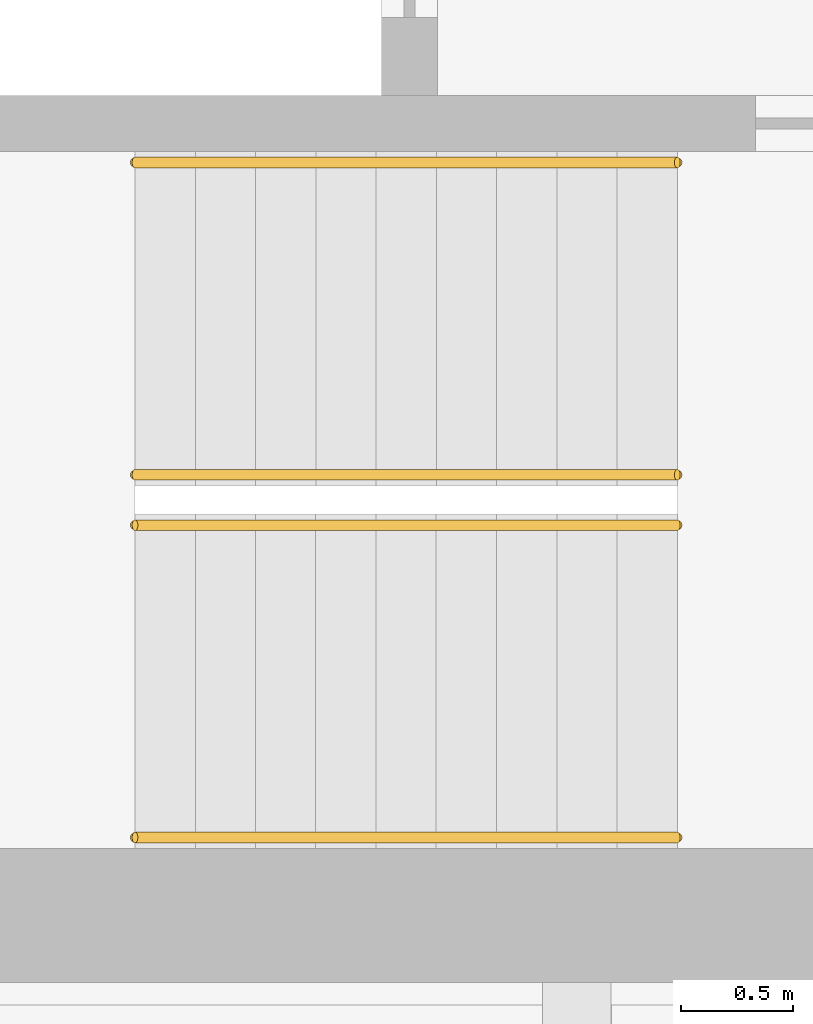
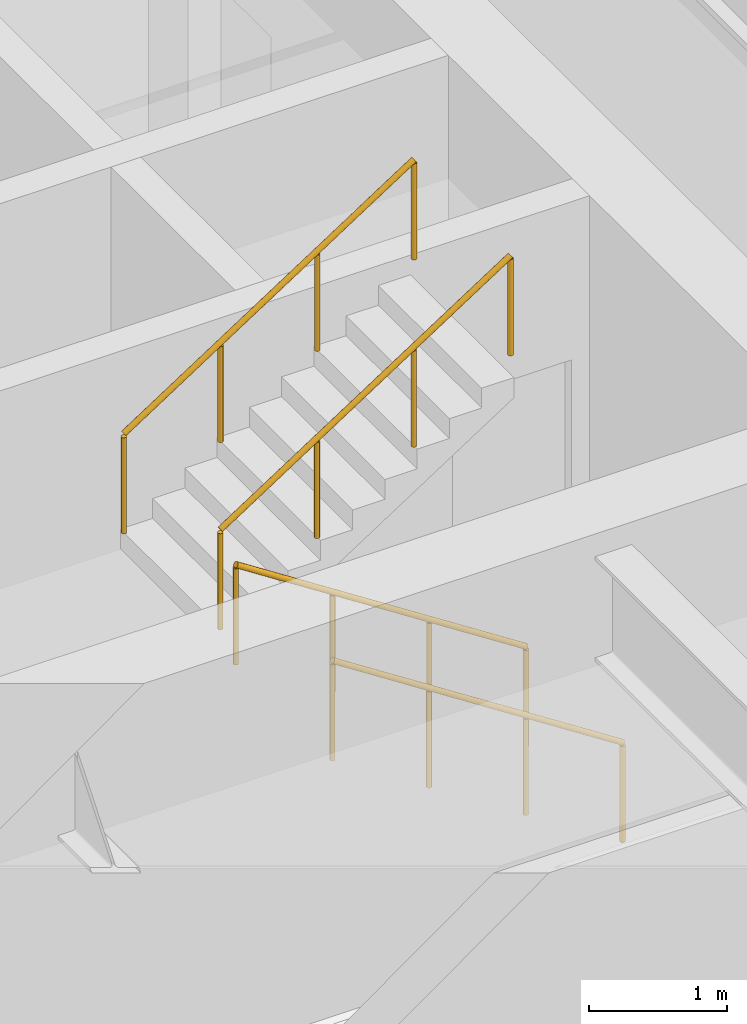
# One storey, part 17 of 21: 4 railings.
"""IFC4 building model written with IfcOpenShell, lengths in metres."""

import ifcopenshell
import ifcopenshell.guid

model = None  # the IFC model being written
_history = None  # IfcOwnerHistory: only IFC2X3 demands one
_inside = {}  # id of a spatial element -> (the spatial element, [elements in it])
_under = {}  # id of a project, library or spatial element -> (it, [spatial elements below it])
_declared = {}  # id of a project -> (the project, [libraries it declares])
_typed = {}  # id of a type object -> (the type object, [elements of that type])
_made_of = {}  # id of a material, layer set ... -> (it, [elements and type objects made of it])


def new_model(schema):
    """Start an empty IFC model of exactly this schema.

    Asked for "IFC4X3", IfcOpenShell would pick the latest addendum, in which some entities
    have other attributes; the version numbers below select the first issue.
    IFC2X3 requires an IfcOwnerHistory on every rooted entity: one is made here for all.
    """
    global model, _history
    if schema == "IFC4X3":
        model = ifcopenshell.file(schema_version=(4, 3, 0, 0))
    else:
        model = ifcopenshell.file(schema=schema)
    _inside.clear()
    _under.clear()
    _declared.clear()
    _typed.clear()
    _made_of.clear()
    _history = None
    if model.schema == "IFC2X3":
        org = make("IfcOrganization", Name="unknown")
        user = make(
            "IfcPersonAndOrganization",
            ThePerson=make("IfcPerson", FamilyName="unknown"),
            TheOrganization=org,
        )
        app = make(
            "IfcApplication",
            ApplicationDeveloper=org,
            Version="unknown",
            ApplicationFullName="unknown",
            ApplicationIdentifier="unknown",
        )
        _history = make(
            "IfcOwnerHistory",
            OwningUser=user,
            OwningApplication=app,
            ChangeAction="ADDED",
            CreationDate=0,
        )
    return model


def make(cls, **values):
    """One entity of the class cls with the attributes given. An attribute that is None is left unset."""
    return model.create_entity(
        cls, **{name: value for name, value in values.items() if value is not None}
    )


def rooted(cls, **values):
    """An entity with a GlobalId (a new one), such as an element, a storey or a relation."""
    return make(cls, GlobalId=ifcopenshell.guid.new(), OwnerHistory=_history, **values)


def si_unit(unit_type, name, prefix=None):
    """IfcSIUnit, for example si_unit("LENGTHUNIT", "METRE", prefix="MILLI")."""
    return make("IfcSIUnit", UnitType=unit_type, Prefix=prefix, Name=name)


def assignment(units):
    """IfcUnitAssignment: the units of a project."""
    return None if units is None else make("IfcUnitAssignment", Units=units)


def point(xyz):
    """IfcCartesianPoint."""
    return None if xyz is None else make("IfcCartesianPoint", Coordinates=xyz)


def direction(xyz):
    """IfcDirection."""
    return None if xyz is None else make("IfcDirection", DirectionRatios=xyz)


def frame(location, z_axis=None, x_axis=None):
    """IfcAxis2Placement3D, a coordinate frame: its origin and axes. An axis left out is left unset."""
    return make(
        "IfcAxis2Placement3D",
        Location=point(location),
        Axis=direction(z_axis),
        RefDirection=direction(x_axis),
    )


def frame_2d(location, x_axis=None):
    """IfcAxis2Placement2D, a coordinate frame in the plane: its origin and x axis."""
    return make(
        "IfcAxis2Placement2D", Location=point(location), RefDirection=direction(x_axis)
    )


def origin():
    """The frame at (0, 0, 0) with its axes left unset."""
    return frame((0.0, 0.0, 0.0))


def origin_2d():
    """The frame at (0, 0) in the plane with its x axis left unset."""
    return frame_2d((0.0, 0.0))


def place(relative_to, where):
    """IfcLocalPlacement: puts the frame where relative to a parent placement (None: the world)."""
    return make(
        "IfcLocalPlacement", PlacementRelTo=relative_to, RelativePlacement=where
    )


def context(
    kind, dimensions, precision=None, world=None, true_north=None, identifier=None
):
    """IfcGeometricRepresentationContext, for example the 3D "Model" context."""
    return make(
        "IfcGeometricRepresentationContext",
        ContextIdentifier=identifier,
        ContextType=kind,
        CoordinateSpaceDimension=dimensions,
        Precision=precision,
        WorldCoordinateSystem=world,
        TrueNorth=true_north,
    )


def subcontext(parent, identifier, kind, view, scale=None):
    """IfcGeometricRepresentationSubContext, for example "Body" below "Model"."""
    return make(
        "IfcGeometricRepresentationSubContext",
        ContextIdentifier=identifier,
        ContextType=kind,
        ParentContext=parent,
        TargetScale=scale,
        TargetView=view,
    )


def project(units=None, contexts=None):
    """IfcProject with its units and contexts."""
    return rooted(
        "IfcProject",
        Name="project",
        RepresentationContexts=contexts,
        UnitsInContext=assignment(units),
    )


def spatial(cls, under=None, at=None, **own):
    """A site, building, storey or space (cls), placed at a placement, below another one or the project."""
    s = rooted(cls, ObjectPlacement=at, **own)
    if under is not None:
        _under.setdefault(under.id(), (under, []))[1].append(s)
    return s


def profile(cls, at=None, kind="AREA", **sizes):
    """A parametric profile (cls). Its sizes go by their IFC names, for example OverallWidth=200.0."""
    return make(cls, ProfileType=kind, Position=at, **sizes)


def circle(**sizes):
    """IfcCircleProfileDef."""
    return profile("IfcCircleProfileDef", **sizes)


def extrude(swept, where, along, depth):
    """IfcExtrudedAreaSolid: the profile swept, set in the frame where, extruded along a direction by depth."""
    return make(
        "IfcExtrudedAreaSolid",
        SweptArea=swept,
        Position=where,
        ExtrudedDirection=direction(along),
        Depth=depth,
    )


def shape(context_of_items, identifier, shape_type, items):
    """IfcShapeRepresentation: the items that make up one representation, for example the "Body"."""
    return make(
        "IfcShapeRepresentation",
        ContextOfItems=context_of_items,
        RepresentationIdentifier=identifier,
        RepresentationType=shape_type,
        Items=items,
    )


def material(Name=None, Category=None):
    """IfcMaterial."""
    return make("IfcMaterial", Name=Name, Category=Category)


def made_of(thing, what):
    """Note that an element or type object is made of a material, layer set ...; save() writes the relation."""
    if what is not None:
        _made_of.setdefault(what.id(), (what, []))[1].append(thing)
    return thing


def type_object(cls, material=None, **own):
    """A type object (cls), such as IfcWallType, which elements share."""
    return made_of(rooted(cls, **own), material)


def element(
    cls,
    number,
    at=None,
    inside=None,
    cuts=None,
    type_object=None,
    material=None,
    context=None,
    identifier="Body",
    shape_type=None,
    held_by="IfcProductDefinitionShape",
    body=None,
    shapes=None,
    **own,
):
    """One element of the class cls, such as IfcWall. Its Tag is "e" and its number.

    at: its placement. inside: the storey or other place that contains it. cuts: it is an
    opening in that element (IfcRelVoidsElement). A single representation is given by context,
    identifier, shape_type and body (its items); several are given by shapes. held_by: the class
    of the entity that holds the representations. save() writes the other relations.
    """
    e = rooted(cls, Tag="e%d" % number, ObjectPlacement=at, **own)
    if body is not None:
        shapes = [shape(context, identifier, shape_type, body)]
    if shapes is not None:
        e.Representation = make(held_by, Representations=shapes)
    if inside is not None:
        _inside.setdefault(inside.id(), (inside, []))[1].append(e)
    if cuts is not None:
        rooted(
            "IfcRelVoidsElement", RelatingBuildingElement=cuts, RelatedOpeningElement=e
        )
    if type_object is not None:
        _typed.setdefault(type_object.id(), (type_object, []))[1].append(e)
    return made_of(e, material)


def aggregate(whole, parts):
    """IfcRelAggregates: a whole, such as a stair, and the parts it consists of."""
    return rooted("IfcRelAggregates", RelatingObject=whole, RelatedObjects=parts)


def save(model, path):
    """Write the relations noted so far, then the file.

    IfcRelAggregates (storeys below a building ...), IfcRelContainedInSpatialStructure (elements
    in a storey), IfcRelDefinesByType, IfcRelAssociatesMaterial and IfcRelDeclares: one each for
    every whole, place, type object, material and project.
    """
    for whole, parts in _under.values():
        aggregate(whole, parts)
    for where, things in _inside.values():
        rooted(
            "IfcRelContainedInSpatialStructure",
            RelatedElements=things,
            RelatingStructure=where,
        )
    for kind, things in _typed.values():
        rooted("IfcRelDefinesByType", RelatedObjects=things, RelatingType=kind)
    for what, things in _made_of.values():
        rooted("IfcRelAssociatesMaterial", RelatedObjects=things, RelatingMaterial=what)
    for by, libraries in _declared.values():
        rooted("IfcRelDeclares", RelatingContext=by, RelatedDefinitions=libraries)
    model.write(path)


model = new_model("IFC4")

# Units and contexts
model_context = context("Model", 3, precision=1e-05, world=origin(), true_north=direction((0.0, 1.0)))
body_context = subcontext(model_context, "Body", "Model", "MODEL_VIEW")
ifc_project = project(units=[si_unit("LENGTHUNIT", "METRE"), si_unit("AREAUNIT", "SQUARE_METRE"), si_unit("VOLUMEUNIT", "CUBIC_METRE"), si_unit("PLANEANGLEUNIT", "RADIAN"), si_unit("MASSUNIT", "GRAM", prefix="KILO")], contexts=[model_context])

# Site, building, storey
site_placement = place(None, origin())
site = spatial("IfcSite", under=ifc_project, at=site_placement, CompositionType="ELEMENT")
building_placement = place(site_placement, origin())
building = spatial("IfcBuilding", under=site, at=building_placement, Name="Msasa Ring Tower", CompositionType="ELEMENT")
storey_placement = place(building_placement, frame((0.0, 0.0, 37.0)))
storey = spatial("IfcBuildingStorey", under=building, at=storey_placement, Name="L08", CompositionType="ELEMENT", Elevation=37.0)

# Railings
ifc_material = material(Name="Stainless steel", Category="steel")
railing_type = type_object("IfcRailingType", Name="HR1 HANDRAIL 900", PredefinedType="HANDRAIL", material=ifc_material)
for number, where, name in (
    (1, (-10.800048828125, -6.39990234375, 0.175048828125), "Handrail stair SWA L08 1"),
    (2, (-10.800048828125, -5.0, 0.175048828125), "Handrail stair SWA L08 2"),
):
    element("IfcRailing", number, at=place(storey_placement, frame(where)), inside=storey, type_object=railing_type, Name=name, PredefinedType="HANDRAIL", context=body_context, shape_type="SweptSolid", body=[
        extrude(circle(Radius=0.02392578125, at=origin_2d()), frame((0.0, 0.0, 0.8759765625), z_axis=(-0.839153699163, 0.0, 0.543894354798), x_axis=(0.0, -1.0, 0.0)), (0.0, 0.0, 1.0), 2.895751953125),
        extrude(circle(Radius=0.02099609375, at=origin_2d()), origin(), (0.0, 0.0, 1.0), 0.851806640625),
        extrude(circle(Radius=0.02099609375, at=origin_2d()), frame((-0.81005859375, 0.0, 0.52490234375)), (0.0, 0.0, 1.0), 0.851806640625),
        extrude(circle(Radius=0.02099609375, at=origin_2d()), frame((-1.619873046875, 0.0, 1.050048828125)), (0.0, 0.0, 1.0), 0.851806640625),
        extrude(circle(Radius=0.02099609375, at=origin_2d()), frame((-2.429931640625, 0.0, 1.574951171875)), (0.0, 0.0, 1.0), 0.851806640625),
    ])
for number, where, name in (
    (3, (-13.22998046875, -4.77490234375, 1.925048828125), "Handrail stair SWA L08 3"),
    (4, (-13.22998046875, -3.375, 1.925048828125), "Handrail stair SWA L08 4"),
):
    element("IfcRailing", number, at=place(storey_placement, frame(where)), inside=storey, type_object=railing_type, Name=name, PredefinedType="HANDRAIL", context=body_context, shape_type="SweptSolid", body=[
        extrude(circle(Radius=0.02392578125, at=origin_2d()), frame((0.0, 0.0, 0.8759765625), z_axis=(0.839153699163, 0.0, 0.543894354798), x_axis=(0.0, 1.0, 0.0)), (0.0, 0.0, 1.0), 2.895751953125),
        extrude(circle(Radius=0.02099609375, at=origin_2d()), origin(), (0.0, 0.0, 1.0), 0.851806640625),
        extrude(circle(Radius=0.02099609375, at=origin_2d()), frame((0.81005859375, 0.0, 0.52490234375)), (0.0, 0.0, 1.0), 0.851806640625),
        extrude(circle(Radius=0.02099609375, at=origin_2d()), frame((1.619873046875, 0.0, 1.050048828125)), (0.0, 0.0, 1.0), 0.851806640625),
        extrude(circle(Radius=0.02099609375, at=origin_2d()), frame((2.429931640625, 0.0, 1.574951171875)), (0.0, 0.0, 1.0), 0.851806640625),
    ])

save(model, "model.ifc")
